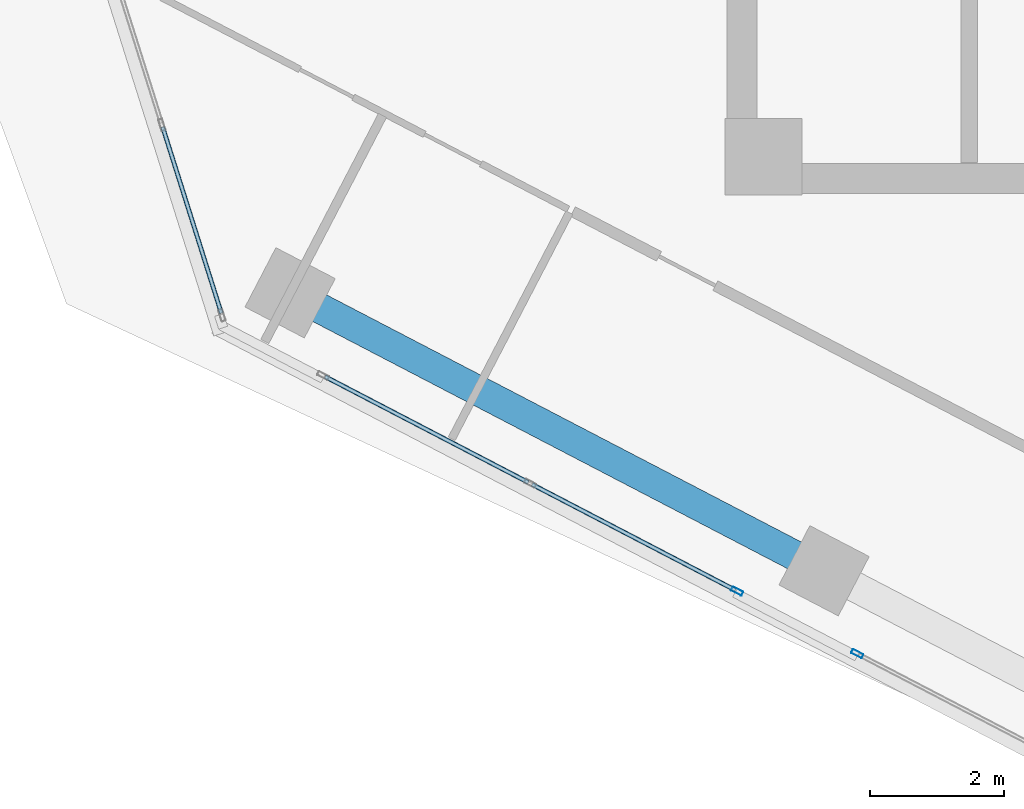
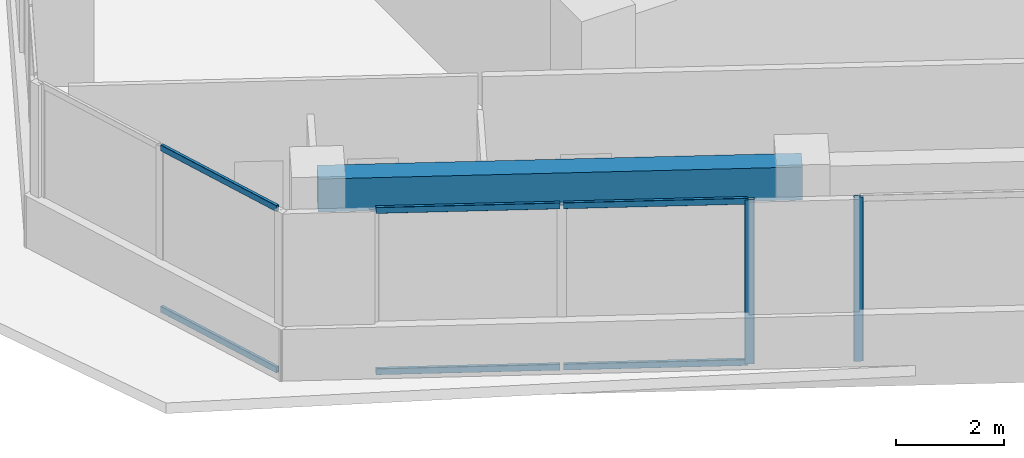
# One storey, part 3 of 22: 8 members, 1 beam, 3 elements without a shape of their own.
"""IFC4 building model written with IfcOpenShell, lengths in metres."""

from ifc_helpers import new_model, si_unit, direction, frame, origin, origin_2d, place, context, subcontext, project, spatial, rectangle, hollow_rectangle, extrude, source, transform, mapped, material, material_profile, profile_set, type_object, element, aggregate, save


model = new_model("IFC4")

# Units and contexts
model_context = context("Model", 3, precision=1e-05, world=origin(), true_north=direction((0.0, 1.0)))
body_context = subcontext(model_context, "Body", "Model", "MODEL_VIEW")
ifc_project = project(units=[si_unit("LENGTHUNIT", "METRE"), si_unit("AREAUNIT", "SQUARE_METRE"), si_unit("VOLUMEUNIT", "CUBIC_METRE"), si_unit("PLANEANGLEUNIT", "RADIAN"), si_unit("MASSUNIT", "GRAM", prefix="KILO")], contexts=[model_context])

# Site, building, storey
site_placement = place(None, origin())
site = spatial("IfcSite", under=ifc_project, at=site_placement, CompositionType="ELEMENT")
building_placement = place(site_placement, origin())
building = spatial("IfcBuilding", under=site, at=building_placement, Name="Torre Montelarca", CompositionType="ELEMENT")
storey_placement = place(building_placement, frame((0.0, 0.0, 166.60009765625)))
storey = spatial("IfcBuildingStorey", under=building, at=storey_placement, Name="L37", CompositionType="ELEMENT", Elevation=166.60009765625)

# Beam
ifc_material_1 = material(Name="Concrete C55/67", Category="concrete")
ifc_material_profile_1 = material_profile(ifc_material_1, rectangle(XDim=0.449951171875, YDim=0.75, at=origin_2d()), Name="RCB450X750", Category="concrete")
ifc_profile_set_1 = profile_set([ifc_material_profile_1], Name="Concrete C55/67")
beam_type = type_object("IfcBeamType", Name="BM-SP-RC750-EXT", PredefinedType="SPANDREL", material=ifc_profile_set_1)
shared_shape_1 = source(origin(), body_context, "Body", "SweptSolid", [
    extrude(rectangle(XDim=0.449951171875, YDim=0.75, at=origin_2d()), origin(), (0.0, 0.0, 1.0), 9.0),
])
beam_placement = place(storey_placement, frame((2.47021484375, 22.515380859375, 3.5849609375), z_axis=(0.887011077451, -0.461748143991, 0.0), x_axis=(0.461748143991, 0.887011077451, 0.0)))
element("IfcBeam", 1, at=beam_placement, inside=storey, type_object=beam_type, Name="L37 Grid Girder X 9.0-18.0 at Y=14.8", PredefinedType="SPANDREL", context=body_context, shape_type="MappedRepresentation", body=[
    mapped(shared_shape_1, transform((0.0, 0.0, 0.0), scale=1.0)),
])

# Curtain wall, members
ifc_material_2 = material(Name="Insulated low-E laminated glass", Category="glass")
curtain_wall_type = type_object("IfcCurtainWallType", Name="CW-SYS-Z2", PredefinedType="USERDEFINED", material=ifc_material_2)
curtain_wall_1_placement = place(storey_placement, origin())
curtain_wall_1 = element("IfcCurtainWall", 2, at=curtain_wall_1_placement, inside=storey, type_object=curtain_wall_type, Name="L37 Curtain Wall Run CW-T3-L37-E11-B1", ObjectType="UNITISED GLAZING", PredefinedType="USERDEFINED")
ifc_material_3 = material(Name="Anodised aluminium AA 6063-T6", Category="aluminium")
ifc_material_profile_2 = material_profile(ifc_material_3, hollow_rectangle(XDim=0.06494140625, YDim=0.139892578125, WallThickness=0.00390625, InnerFilletRadius=0.00390625, OuterFilletRadius=0.008056640625, at=origin_2d()), Name="ALU65X140X4", Category="aluminium")
ifc_profile_set_2 = profile_set([ifc_material_profile_2], Name="Anodised aluminium AA 6063-T6")
member_type_1 = type_object("IfcMemberType", Name="CWT-ALU140", PredefinedType="USERDEFINED", material=ifc_profile_set_2)
shared_shape_2 = source(origin(), body_context, "Body", "SweptSolid", [
    extrude(hollow_rectangle(XDim=0.06494140625, YDim=0.139892578125, WallThickness=0.00390625, InnerFilletRadius=0.00390625, OuterFilletRadius=0.008056640625, at=origin_2d()), origin(), (0.0, 0.0, 1.0), 2.91845703125),
])
member_1_placement = place(storey_placement, frame((0.564453125, 24.994140625, 0.032470703125), z_axis=(0.300726990368, -0.953710269036, 0.0), x_axis=(0.953710269036, 0.300726990368, 0.0)))
member_1 = element("IfcMember", 3, at=member_1_placement, type_object=member_type_1, Name="CW transom 2.1", ObjectType="TRANSOM", PredefinedType="USERDEFINED", context=body_context, shape_type="MappedRepresentation", body=[
    mapped(shared_shape_2, transform((0.0, 0.0, 0.0), scale=1.0)),
])
member_2_placement = place(storey_placement, frame((0.564453125, 24.994140625, 3.6875), z_axis=(0.300726990368, -0.953710269036, 0.0), x_axis=(0.953710269036, 0.300726990368, 0.0)))
member_2 = element("IfcMember", 4, at=member_2_placement, type_object=member_type_1, Name="CW transom 2.2", ObjectType="TRANSOM", PredefinedType="USERDEFINED", context=body_context, shape_type="MappedRepresentation", body=[
    mapped(shared_shape_2, transform((0.0, 0.0, 0.0), scale=1.0)),
])
aggregate(curtain_wall_1, [member_1, member_2])

# Curtain wall, member
curtain_wall_2_placement = place(storey_placement, origin())
curtain_wall_2 = element("IfcCurtainWall", 5, at=curtain_wall_2_placement, inside=storey, type_object=curtain_wall_type, Name="L37 Curtain Wall Run CW-T3-L37-E01-B1", ObjectType="UNITISED GLAZING", PredefinedType="USERDEFINED")
ifc_material_profile_3 = material_profile(ifc_material_3, hollow_rectangle(XDim=0.06494140625, YDim=0.179931640625, WallThickness=0.00390625, InnerFilletRadius=0.00390625, OuterFilletRadius=0.008056640625, at=origin_2d()), Name="ALU65X180X4", Category="aluminium")
ifc_profile_set_3 = profile_set([ifc_material_profile_3], Name="Anodised aluminium AA 6063-T6")
member_type_2 = type_object("IfcMemberType", Name="CWM-ALU180", PredefinedType="MULLION", material=ifc_profile_set_3)
shared_shape_3 = source(origin(), body_context, "Body", "SweptSolid", [
    extrude(hollow_rectangle(XDim=0.06494140625, YDim=0.179931640625, WallThickness=0.00390625, InnerFilletRadius=0.00390625, OuterFilletRadius=0.008056640625, at=origin_2d()), origin(), (0.0, 0.0, 1.0), 3.719970703125),
])
member_3_placement = place(storey_placement, frame((9.153564453125, 18.055419921875, 0.0), z_axis=(0.0, 0.0, 1.0), x_axis=(0.461744924744, 0.887012753276, 0.0)))
member_3 = element("IfcMember", 6, at=member_3_placement, type_object=member_type_2, Name="CW mullion 3", PredefinedType="MULLION", context=body_context, shape_type="MappedRepresentation", body=[
    mapped(shared_shape_3, transform((0.0, 0.0, 0.0), scale=1.0)),
])

curtain_wall_3_placement = place(storey_placement, origin())
curtain_wall_3 = element("IfcCurtainWall", 7, at=curtain_wall_3_placement, inside=storey, type_object=curtain_wall_type, Name="L37 Curtain Wall Run CW-T3-L37-E01-B2", ObjectType="UNITISED GLAZING", PredefinedType="USERDEFINED")
member_4_placement = place(storey_placement, frame((10.94970703125, 17.120361328125, 0.0), z_axis=(0.0, 0.0, 1.0), x_axis=(0.461752765954, 0.887008671397, 0.0)))
member_4 = element("IfcMember", 8, at=member_4_placement, type_object=member_type_2, Name="CW mullion 1", PredefinedType="MULLION", context=body_context, shape_type="MappedRepresentation", body=[
    mapped(shared_shape_3, transform((0.0, 0.0, 0.0), scale=1.0)),
])
aggregate(curtain_wall_3, [member_4])

# Member
shared_shape_4 = source(origin(), body_context, "Body", "SweptSolid", [
    extrude(hollow_rectangle(XDim=0.06494140625, YDim=0.139892578125, WallThickness=0.00390625, InnerFilletRadius=0.00390625, OuterFilletRadius=0.008056640625, at=origin_2d()), origin(), (0.0, 0.0, 1.0), 3.422607421875),
])
member_5_placement = place(storey_placement, frame((2.995361328125, 21.260986328125, 0.032470703125), z_axis=(0.887018174284, -0.461734510828, 0.0), x_axis=(0.461734510828, 0.887018174284, 0.0)))
member_5 = element("IfcMember", 9, at=member_5_placement, type_object=member_type_1, Name="CW transom 1.1", ObjectType="TRANSOM", PredefinedType="USERDEFINED", context=body_context, shape_type="MappedRepresentation", body=[
    mapped(shared_shape_4, transform((0.0, 0.0, 0.0), scale=1.0)),
])

member_6_placement = place(storey_placement, frame((2.995361328125, 21.260986328125, 3.6875), z_axis=(0.887018174284, -0.461734510828, 0.0), x_axis=(0.461734510828, 0.887018174284, 0.0)))
member_6 = element("IfcMember", 10, at=member_6_placement, type_object=member_type_1, Name="CW transom 1.2", ObjectType="TRANSOM", PredefinedType="USERDEFINED", context=body_context, shape_type="MappedRepresentation", body=[
    mapped(shared_shape_4, transform((0.0, 0.0, 0.0), scale=1.0)),
])

member_7_placement = place(storey_placement, frame((6.0888671875, 19.650634765625, 0.032470703125), z_axis=(0.887018174284, -0.461734510828, 0.0), x_axis=(0.461734510828, 0.887018174284, 0.0)))
member_7 = element("IfcMember", 11, at=member_7_placement, type_object=member_type_1, Name="CW transom 2.1", ObjectType="TRANSOM", PredefinedType="USERDEFINED", context=body_context, shape_type="MappedRepresentation", body=[
    mapped(shared_shape_4, transform((0.0, 0.0, 0.0), scale=1.0)),
])

member_8_placement = place(storey_placement, frame((6.0888671875, 19.650634765625, 3.6875), z_axis=(0.887018174284, -0.461734510828, 0.0), x_axis=(0.461734510828, 0.887018174284, 0.0)))
member_8 = element("IfcMember", 12, at=member_8_placement, type_object=member_type_1, Name="CW transom 2.2", ObjectType="TRANSOM", PredefinedType="USERDEFINED", context=body_context, shape_type="MappedRepresentation", body=[
    mapped(shared_shape_4, transform((0.0, 0.0, 0.0), scale=1.0)),
])

aggregate(curtain_wall_2, [member_3, member_5, member_6, member_7, member_8])

save(model, "model.ifc")
